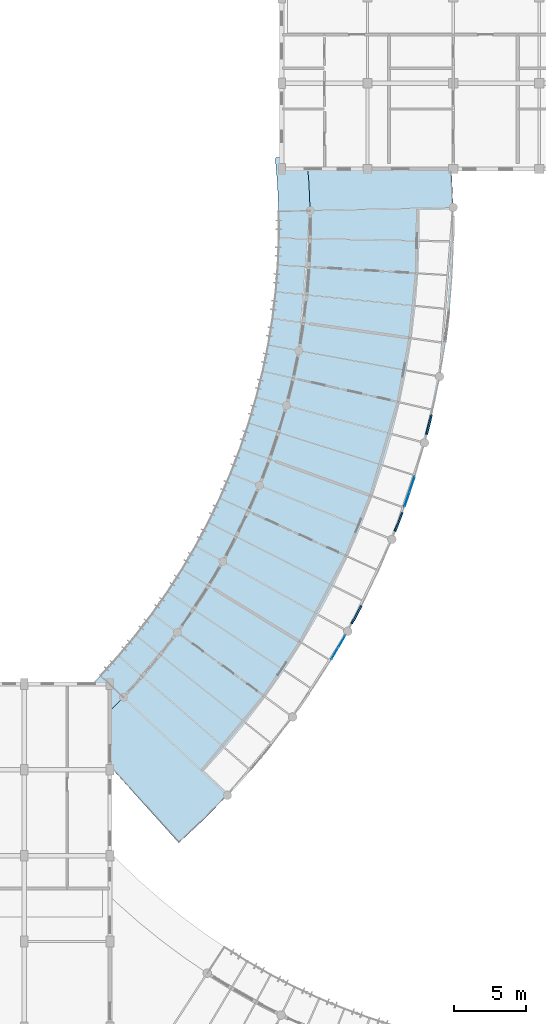
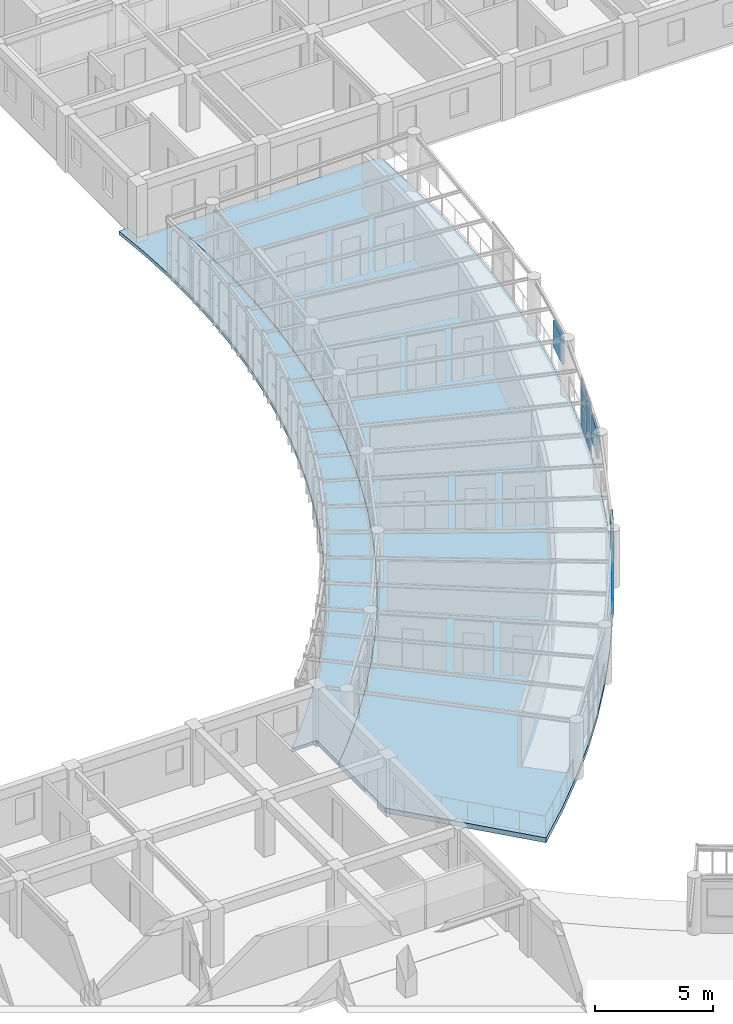
# One storey, part 45 of 100: 11 plates, 2 slabs, 2 elements without a shape of their own.
"""IFC4 building model written with IfcOpenShell, lengths in metres."""

from ifc_helpers import new_model, si_unit, direction, frame, origin, origin_2d, place, context, subcontext, project, spatial, polyline, rectangle, outline, extrude, material, layer, layer_set, type_object, element, aggregate, save


model = new_model("IFC4")

# Units and contexts
model_context = context("Model", 3, precision=1e-05, world=origin(), true_north=direction((0.0, 1.0)))
body_context = subcontext(model_context, "Body", "Model", "MODEL_VIEW")
ifc_project = project(units=[si_unit("LENGTHUNIT", "METRE"), si_unit("AREAUNIT", "SQUARE_METRE"), si_unit("VOLUMEUNIT", "CUBIC_METRE"), si_unit("PLANEANGLEUNIT", "RADIAN"), si_unit("MASSUNIT", "GRAM", prefix="KILO"), si_unit("POWERUNIT", "WATT"), si_unit("THERMODYNAMICTEMPERATUREUNIT", "KELVIN")], contexts=[model_context])

# Site, building, storey
site_placement = place(None, origin())
site = spatial("IfcSite", under=ifc_project, at=site_placement, CompositionType="ELEMENT")
building_placement = place(site_placement, origin())
building = spatial("IfcBuilding", under=site, at=building_placement, Name="Ruvembo Vaulted Housing Court", CompositionType="ELEMENT")
storey_placement = place(building_placement, frame((0.0, 0.0, 14.10009765625)))
storey = spatial("IfcBuildingStorey", under=building, at=storey_placement, Name="L04", CompositionType="ELEMENT", Elevation=14.10009765625)

# Curtain wall, plates
ifc_material_1 = material(Name="Anodised Aluminium and Solar-Control Glass", Category="aluminium")
ifc_layer_1 = layer(ifc_material_1, 0.139892578125, Name="Anodised Aluminium and Solar-Control Glass")
ifc_layer_set_1 = layer_set([ifc_layer_1], Name="Anodised Aluminium and Solar-Control Glass")
curtain_wall_type_1 = type_object("IfcCurtainWallType", Name="CW-SCOOP-PAN", PredefinedType="NOTDEFINED", material=ifc_layer_set_1)
curtain_wall_1_placement = place(storey_placement, origin())
curtain_wall_1 = element("IfcCurtainWall", 1, at=curtain_wall_1_placement, inside=storey, type_object=curtain_wall_type_1, Name="L04 Curtain Wall CW-L04-0023", PredefinedType="NOTDEFINED")
ifc_material_2 = material(Name="Solar-Control Laminated Insulating Glass", Category="glass")
ifc_layer_2 = layer(ifc_material_2, 0.028076171875, Name="Solar-Control Laminated Insulating Glass")
ifc_layer_set_2 = layer_set([ifc_layer_2], Name="Solar-Control Laminated Insulating Glass")
plate_type_1 = type_object("IfcPlateType", Name="CW-PANEL-GLAZED", PredefinedType="CURTAIN_PANEL", material=ifc_layer_set_2)
plate_1_placement = place(storey_placement, frame((56.764404296875, 54.927978515625, 0.06005859375), z_axis=(0.0, 0.0, 1.0), x_axis=(0.31983631808, 0.947472812083, 0.0)))
plate_1 = element("IfcPlate", 2, at=plate_1_placement, type_object=plate_type_1, Name="CW10 panel 1.1", PredefinedType="CURTAIN_PANEL", context=body_context, shape_type="SweptSolid", body=[
    extrude(rectangle(XDim=1.0556640625, YDim=0.028076171875, at=origin_2d()), origin(), (0.0, 0.0, 1.0), 1.259033203125),
])
plate_2_placement = place(storey_placement, frame((56.764404296875, 54.927978515625, 1.37890625), z_axis=(0.0, 0.0, 1.0), x_axis=(0.31983631808, 0.947472812083, 0.0)))
plate_2 = element("IfcPlate", 3, at=plate_2_placement, type_object=plate_type_1, Name="CW10 panel 1.2", PredefinedType="CURTAIN_PANEL", context=body_context, shape_type="SweptSolid", body=[
    extrude(rectangle(XDim=1.0556640625, YDim=0.028076171875, at=origin_2d()), origin(), (0.0, 0.0, 1.0), 1.259033203125),
])
plate_3_placement = place(storey_placement, frame((57.119873046875, 55.98046875, 0.06005859375), z_axis=(0.0, 0.0, 1.0), x_axis=(0.31983631808, 0.947472812083, 0.0)))
plate_3 = element("IfcPlate", 4, at=plate_3_placement, type_object=plate_type_1, Name="CW10 panel 2.1", PredefinedType="CURTAIN_PANEL", context=body_context, shape_type="SweptSolid", body=[
    extrude(rectangle(XDim=1.0556640625, YDim=0.028076171875, at=origin_2d()), origin(), (0.0, 0.0, 1.0), 1.259033203125),
])
plate_4_placement = place(storey_placement, frame((57.119873046875, 55.98046875, 1.37890625), z_axis=(0.0, 0.0, 1.0), x_axis=(0.31983631808, 0.947472812083, 0.0)))
plate_4 = element("IfcPlate", 5, at=plate_4_placement, type_object=plate_type_1, Name="CW10 panel 2.2", PredefinedType="CURTAIN_PANEL", context=body_context, shape_type="SweptSolid", body=[
    extrude(rectangle(XDim=1.0556640625, YDim=0.028076171875, at=origin_2d()), origin(), (0.0, 0.0, 1.0), 1.259033203125),
])
aggregate(curtain_wall_1, [plate_1, plate_2, plate_3, plate_4])

ifc_layer_3 = layer(ifc_material_1, 0.1201171875, Name="Anodised Aluminium and Solar-Control Glass")
ifc_layer_set_3 = layer_set([ifc_layer_3], Name="Anodised Aluminium and Solar-Control Glass")
curtain_wall_type_2 = type_object("IfcCurtainWallType", Name="CW-SCOOP-GAL", PredefinedType="NOTDEFINED", material=ifc_layer_set_3)
curtain_wall_2_placement = place(storey_placement, origin())
curtain_wall_2 = element("IfcCurtainWall", 6, at=curtain_wall_2_placement, inside=storey, type_object=curtain_wall_type_2, Name="L04 Curtain Wall CW-L04-0022", PredefinedType="NOTDEFINED")
ifc_layer_4 = layer(ifc_material_2, 0.031982421875, Name="Solar-Control Laminated Insulating Glass")
ifc_layer_set_4 = layer_set([ifc_layer_4], Name="Solar-Control Laminated Insulating Glass")
plate_type_2 = type_object("IfcPlateType", Name="CW-PANEL-SOLAR", PredefinedType="CURTAIN_PANEL", material=ifc_layer_set_4)
plate_5_placement = place(storey_placement, frame((51.70849609375, 44.133056640625, 0.06494140625), z_axis=(0.0, 0.0, 1.0), x_axis=(0.505885385784, 0.862600705107, 0.0)))
plate_5 = element("IfcPlate", 7, at=plate_5_placement, type_object=plate_type_2, Name="CW6 panel 1.1", PredefinedType="CURTAIN_PANEL", context=body_context, shape_type="SweptSolid", body=[
    extrude(rectangle(XDim=0.915771484375, YDim=0.031982421875, at=origin_2d()), origin(), (0.0, 0.0, 1.0), 1.25146484375),
])
plate_6_placement = place(storey_placement, frame((51.70849609375, 44.133056640625, 1.38134765625), z_axis=(0.0, 0.0, 1.0), x_axis=(0.505885385784, 0.862600705107, 0.0)))
plate_6 = element("IfcPlate", 8, at=plate_6_placement, type_object=plate_type_2, Name="CW6 panel 1.2", PredefinedType="CURTAIN_PANEL", context=body_context, shape_type="SweptSolid", body=[
    extrude(rectangle(XDim=0.915771484375, YDim=0.031982421875, at=origin_2d()), origin(), (0.0, 0.0, 1.0), 1.25146484375),
])
plate_7_placement = place(storey_placement, frame((52.20458984375, 44.97900390625, 0.06494140625), z_axis=(0.0, 0.0, 1.0), x_axis=(0.505885385784, 0.862600705107, 0.0)))
plate_7 = element("IfcPlate", 9, at=plate_7_placement, type_object=plate_type_2, Name="CW6 panel 2.1", PredefinedType="CURTAIN_PANEL", context=body_context, shape_type="SweptSolid", body=[
    extrude(rectangle(XDim=0.915771484375, YDim=0.031982421875, at=origin_2d()), origin(), (0.0, 0.0, 1.0), 1.25146484375),
])
plate_8_placement = place(storey_placement, frame((52.20458984375, 44.97900390625, 1.38134765625), z_axis=(0.0, 0.0, 1.0), x_axis=(0.505885385784, 0.862600705107, 0.0)))
plate_8 = element("IfcPlate", 10, at=plate_8_placement, type_object=plate_type_2, Name="CW6 panel 2.2", PredefinedType="CURTAIN_PANEL", context=body_context, shape_type="SweptSolid", body=[
    extrude(rectangle(XDim=0.915771484375, YDim=0.031982421875, at=origin_2d()), origin(), (0.0, 0.0, 1.0), 1.25146484375),
])
aggregate(curtain_wall_2, [plate_5, plate_6, plate_7, plate_8])

# Plates
ifc_material_3 = material(Name="Perforated Glazed Ceramic Cobogo Block", Category="ceramic")
ifc_layer_5 = layer(ifc_material_3, 0.1201171875, Name="Perforated Glazed Ceramic Cobogo Block")
ifc_layer_set_5 = layer_set([ifc_layer_5], Name="Perforated Glazed Ceramic Cobogo Block")
plate_type_3 = type_object("IfcPlateType", Name="PL-COBOGO-120", PredefinedType="USERDEFINED", material=ifc_layer_set_5)
for number, where, z_axis, x_axis, name in (
    (11, (53.23828125, 46.847900390625, 1.11962890625), (0.0, 0.0, 1.0), (0.470134075244, 0.882595009783, 0.0), "Scoop SC1 L04 Ceramic Cobogo Screen #21"),
    (12, (56.18115234375, 53.335693359375, 1.11962890625), (0.0, 0.0, 1.0), (0.358335361222, 0.93359293533, 0.0), "Scoop SC1 L04 Ceramic Cobogo Screen #22"),
    (13, (58.30615234375, 60.135498046875, 1.11962890625), (0.0, 0.0, 1.0), (0.241193628767, 0.970477013351, 0.0), "Scoop SC1 L04 Ceramic Cobogo Screen #23"),
):
    element("IfcPlate", number, at=place(storey_placement, frame(where, z_axis=z_axis, x_axis=x_axis)), inside=storey, type_object=plate_type_3, Name=name, ObjectType="COBOGO_PANEL", PredefinedType="USERDEFINED", context=body_context, shape_type="SweptSolid", body=[
        extrude(rectangle(XDim=1.39990234375, YDim=0.1201171875, at=origin_2d()), origin(), (0.0, 0.0, 1.0), 1.360107421875),
    ])

# Slabs
ifc_material_4 = material(Name="Concrete C35/45", Category="concrete")
ifc_layer_6 = layer(ifc_material_4, 0.179931640625, Name="Concrete C35/45")
ifc_layer_set_6 = layer_set([ifc_layer_6], Name="Concrete C35/45")
slab_type_1 = type_object("IfcSlabType", Name="SL-BAL-180", PredefinedType="FLOOR", material=ifc_layer_set_6)
slab_1_placement = place(storey_placement, frame((0.0, 0.0, -0.18017578125)))
element("IfcSlab", 14, at=slab_1_placement, inside=storey, type_object=slab_type_1, Name="Scoop SC1 L04 Continuous Curved Balcony Slab", PredefinedType="FLOOR", context=body_context, shape_type="SweptSolid", body=[
    extrude(outline(polyline([(34.753173828125, 42.0), (36.0, 42.0), (36.0, 40.13037109375), (36.9306640625, 41.078125), (38.25, 42.53662109375), (39.50830078125, 44.048095703125), (40.7041015625, 45.60986328125), (41.83447265625, 47.21923828125), (42.898193359375, 48.87353515625), (43.89306640625, 50.570068359375), (44.81787109375, 52.305908203125), (45.670654296875, 54.078125), (46.449951171875, 55.8837890625), (47.15478515625, 57.719970703125), (47.783935546875, 59.58349609375), (48.3359375, 61.47119140625), (48.810302734375, 63.3798828125), (49.206298828125, 65.306396484375), (49.522705078125, 67.24755859375), (49.759521484375, 69.199951171875), (49.916015625, 71.16064453125), (49.991943359375, 73.1259765625), (49.987548828125, 75.092529296875), (49.902587890625, 77.0576171875), (49.822998046875, 78.0), (48.0, 78.0), (48.0, 78.834716796875), (47.549072265625, 78.787353515625), (47.70703125, 76.91748046875), (47.7880859375, 75.04248046875), (47.79248046875, 73.166015625), (47.7197265625, 71.290771484375), (47.5703125, 69.419921875), (47.344482421875, 67.556884765625), (47.04248046875, 65.704833984375), (46.664794921875, 63.86669921875), (46.21240234375, 62.04541015625), (45.685546875, 60.244140625), (45.085205078125, 58.46630859375), (44.41259765625, 56.714111328125), (43.6689453125, 54.9912109375), (42.855224609375, 53.30029296875), (41.972900390625, 51.643798828125), (41.023681640625, 50.025146484375), (40.0087890625, 48.446533203125), (38.929931640625, 46.910888671875), (37.789306640625, 45.4208984375), (36.58837890625, 43.978759765625), (35.32958984375, 42.5869140625), (34.753173828125, 42.0)])), origin(), (0.0, 0.0, 1.0), 0.18017578125),
])
ifc_layer_7 = layer(ifc_material_4, 0.251953125, Name="Concrete C35/45")
ifc_layer_set_7 = layer_set([ifc_layer_7], Name="Concrete C35/45")
slab_type_2 = type_object("IfcSlabType", Name="SL-SCOOP-252", PredefinedType="FLOOR", material=ifc_layer_set_7)
slab_2_placement = place(storey_placement, frame((0.0, 0.0, -0.252197265625)))
element("IfcSlab", 15, at=slab_2_placement, inside=storey, type_object=slab_type_2, Name="Scoop SC1 L04 Floor Slab", PredefinedType="FLOOR", context=body_context, shape_type="SweptSolid", body=[
    extrude(outline(polyline([(36.0, 40.13037109375), (36.0, 36.2392578125), (40.8095703125, 30.897705078125), (42.542724609375, 32.523681640625), (44.207763671875, 34.21923828125), (45.802001953125, 35.981689453125), (47.32275390625, 37.80810546875), (48.767333984375, 39.6953125), (50.13330078125, 41.639892578125), (51.418701171875, 43.638916015625), (52.620849609375, 45.688720703125), (53.73828125, 47.786376953125), (54.7685546875, 49.927734375), (55.71044921875, 52.109619140625), (56.56201171875, 54.328369140625), (57.322265625, 56.580078125), (57.989501953125, 58.861083984375), (58.5625, 61.16748046875), (59.040771484375, 63.495361328125), (59.423095703125, 65.8408203125), (59.709228515625, 68.199951171875), (59.8984375, 70.569091796875), (59.990478515625, 72.94384765625), (59.985107421875, 75.3203125), (59.882080078125, 77.694580078125), (59.8564453125, 78.0), (49.822998046875, 78.0), (49.902587890625, 77.0576171875), (49.987548828125, 75.092529296875), (49.991943359375, 73.1259765625), (49.916015625, 71.16064453125), (49.759521484375, 69.199951171875), (49.522705078125, 67.24755859375), (49.206298828125, 65.306396484375), (48.810302734375, 63.3798828125), (48.3359375, 61.47119140625), (47.783935546875, 59.58349609375), (47.15478515625, 57.719970703125), (46.449951171875, 55.8837890625), (45.670654296875, 54.078125), (44.81787109375, 52.305908203125), (43.89306640625, 50.570068359375), (42.898193359375, 48.87353515625), (41.83447265625, 47.21923828125), (40.7041015625, 45.60986328125), (39.50830078125, 44.048095703125), (38.25, 42.53662109375), (36.9306640625, 41.078125), (36.0, 40.13037109375)])), origin(), (0.0, 0.0, 1.0), 0.252197265625),
])

save(model, "model.ifc")
